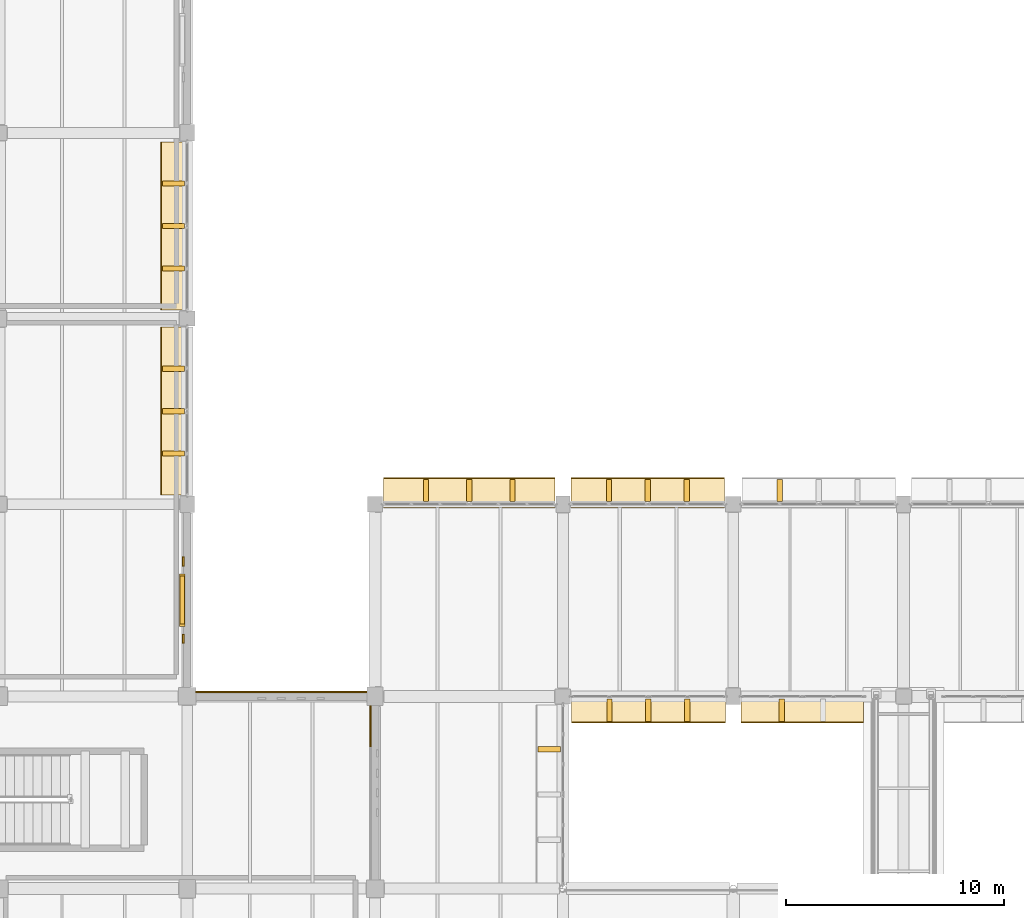
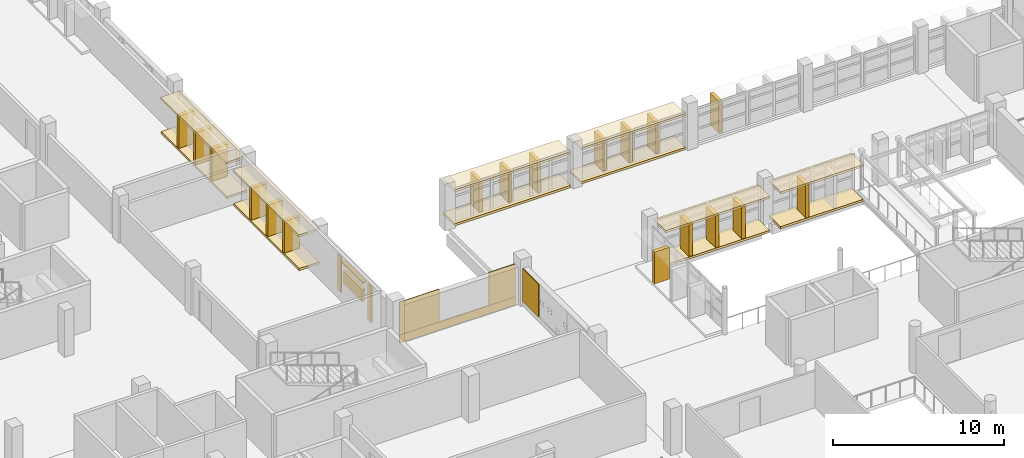
# One storey, part 71 of 75: 20 shading devices, 18 coverings.
"""IFC4 building model written with IfcOpenShell, lengths in metres."""

import ifcopenshell
import ifcopenshell.guid

model = None  # the IFC model being written
_history = None  # IfcOwnerHistory: only IFC2X3 demands one
_inside = {}  # id of a spatial element -> (the spatial element, [elements in it])
_under = {}  # id of a project, library or spatial element -> (it, [spatial elements below it])
_declared = {}  # id of a project -> (the project, [libraries it declares])
_typed = {}  # id of a type object -> (the type object, [elements of that type])
_made_of = {}  # id of a material, layer set ... -> (it, [elements and type objects made of it])


def new_model(schema):
    """Start an empty IFC model of exactly this schema.

    Asked for "IFC4X3", IfcOpenShell would pick the latest addendum, in which some entities
    have other attributes; the version numbers below select the first issue.
    IFC2X3 requires an IfcOwnerHistory on every rooted entity: one is made here for all.
    """
    global model, _history
    if schema == "IFC4X3":
        model = ifcopenshell.file(schema_version=(4, 3, 0, 0))
    else:
        model = ifcopenshell.file(schema=schema)
    _inside.clear()
    _under.clear()
    _declared.clear()
    _typed.clear()
    _made_of.clear()
    _history = None
    if model.schema == "IFC2X3":
        org = make("IfcOrganization", Name="unknown")
        user = make(
            "IfcPersonAndOrganization",
            ThePerson=make("IfcPerson", FamilyName="unknown"),
            TheOrganization=org,
        )
        app = make(
            "IfcApplication",
            ApplicationDeveloper=org,
            Version="unknown",
            ApplicationFullName="unknown",
            ApplicationIdentifier="unknown",
        )
        _history = make(
            "IfcOwnerHistory",
            OwningUser=user,
            OwningApplication=app,
            ChangeAction="ADDED",
            CreationDate=0,
        )
    return model


def make(cls, **values):
    """One entity of the class cls with the attributes given. An attribute that is None is left unset."""
    return model.create_entity(
        cls, **{name: value for name, value in values.items() if value is not None}
    )


def rooted(cls, **values):
    """An entity with a GlobalId (a new one), such as an element, a storey or a relation."""
    return make(cls, GlobalId=ifcopenshell.guid.new(), OwnerHistory=_history, **values)


def si_unit(unit_type, name, prefix=None):
    """IfcSIUnit, for example si_unit("LENGTHUNIT", "METRE", prefix="MILLI")."""
    return make("IfcSIUnit", UnitType=unit_type, Prefix=prefix, Name=name)


def assignment(units):
    """IfcUnitAssignment: the units of a project."""
    return None if units is None else make("IfcUnitAssignment", Units=units)


def point(xyz):
    """IfcCartesianPoint."""
    return None if xyz is None else make("IfcCartesianPoint", Coordinates=xyz)


def direction(xyz):
    """IfcDirection."""
    return None if xyz is None else make("IfcDirection", DirectionRatios=xyz)


def frame(location, z_axis=None, x_axis=None):
    """IfcAxis2Placement3D, a coordinate frame: its origin and axes. An axis left out is left unset."""
    return make(
        "IfcAxis2Placement3D",
        Location=point(location),
        Axis=direction(z_axis),
        RefDirection=direction(x_axis),
    )


def frame_2d(location, x_axis=None):
    """IfcAxis2Placement2D, a coordinate frame in the plane: its origin and x axis."""
    return make(
        "IfcAxis2Placement2D", Location=point(location), RefDirection=direction(x_axis)
    )


def origin():
    """The frame at (0, 0, 0) with its axes left unset."""
    return frame((0.0, 0.0, 0.0))


def origin_2d():
    """The frame at (0, 0) in the plane with its x axis left unset."""
    return frame_2d((0.0, 0.0))


def place(relative_to, where):
    """IfcLocalPlacement: puts the frame where relative to a parent placement (None: the world)."""
    return make(
        "IfcLocalPlacement", PlacementRelTo=relative_to, RelativePlacement=where
    )


def context(
    kind, dimensions, precision=None, world=None, true_north=None, identifier=None
):
    """IfcGeometricRepresentationContext, for example the 3D "Model" context."""
    return make(
        "IfcGeometricRepresentationContext",
        ContextIdentifier=identifier,
        ContextType=kind,
        CoordinateSpaceDimension=dimensions,
        Precision=precision,
        WorldCoordinateSystem=world,
        TrueNorth=true_north,
    )


def subcontext(parent, identifier, kind, view, scale=None):
    """IfcGeometricRepresentationSubContext, for example "Body" below "Model"."""
    return make(
        "IfcGeometricRepresentationSubContext",
        ContextIdentifier=identifier,
        ContextType=kind,
        ParentContext=parent,
        TargetScale=scale,
        TargetView=view,
    )


def project(units=None, contexts=None):
    """IfcProject with its units and contexts."""
    return rooted(
        "IfcProject",
        Name="project",
        RepresentationContexts=contexts,
        UnitsInContext=assignment(units),
    )


def spatial(cls, under=None, at=None, **own):
    """A site, building, storey or space (cls), placed at a placement, below another one or the project."""
    s = rooted(cls, ObjectPlacement=at, **own)
    if under is not None:
        _under.setdefault(under.id(), (under, []))[1].append(s)
    return s


def polyline(points):
    """IfcPolyline through the points."""
    return make("IfcPolyline", Points=[point(p) for p in points])


def profile(cls, at=None, kind="AREA", **sizes):
    """A parametric profile (cls). Its sizes go by their IFC names, for example OverallWidth=200.0."""
    return make(cls, ProfileType=kind, Position=at, **sizes)


def rectangle(**sizes):
    """IfcRectangleProfileDef."""
    return profile("IfcRectangleProfileDef", **sizes)


def outline(outer, holes=None, kind="AREA"):
    """IfcArbitraryClosedProfileDef: a profile drawn as a closed curve; with holes, ...WithVoids."""
    if holes is None:
        return make("IfcArbitraryClosedProfileDef", ProfileType=kind, OuterCurve=outer)
    return make(
        "IfcArbitraryProfileDefWithVoids",
        ProfileType=kind,
        OuterCurve=outer,
        InnerCurves=holes,
    )


def extrude(swept, where, along, depth):
    """IfcExtrudedAreaSolid: the profile swept, set in the frame where, extruded along a direction by depth."""
    return make(
        "IfcExtrudedAreaSolid",
        SweptArea=swept,
        Position=where,
        ExtrudedDirection=direction(along),
        Depth=depth,
    )


def shape(context_of_items, identifier, shape_type, items):
    """IfcShapeRepresentation: the items that make up one representation, for example the "Body"."""
    return make(
        "IfcShapeRepresentation",
        ContextOfItems=context_of_items,
        RepresentationIdentifier=identifier,
        RepresentationType=shape_type,
        Items=items,
    )


def material(Name=None, Category=None):
    """IfcMaterial."""
    return make("IfcMaterial", Name=Name, Category=Category)


def layer(
    of_material, thickness, ventilated=None, Name=None, Category=None, Priority=None
):
    """IfcMaterialLayer: one layer of a wall or slab, of a material (None: an air gap)."""
    return make(
        "IfcMaterialLayer",
        Material=of_material,
        LayerThickness=thickness,
        IsVentilated=ventilated,
        Name=Name,
        Category=Category,
        Priority=Priority,
    )


def layer_set(layers, Name=None):
    """IfcMaterialLayerSet."""
    return make("IfcMaterialLayerSet", MaterialLayers=layers, LayerSetName=Name)


def made_of(thing, what):
    """Note that an element or type object is made of a material, layer set ...; save() writes the relation."""
    if what is not None:
        _made_of.setdefault(what.id(), (what, []))[1].append(thing)
    return thing


def type_object(cls, material=None, **own):
    """A type object (cls), such as IfcWallType, which elements share."""
    return made_of(rooted(cls, **own), material)


def element(
    cls,
    number,
    at=None,
    inside=None,
    cuts=None,
    type_object=None,
    material=None,
    context=None,
    identifier="Body",
    shape_type=None,
    held_by="IfcProductDefinitionShape",
    body=None,
    shapes=None,
    **own,
):
    """One element of the class cls, such as IfcWall. Its Tag is "e" and its number.

    at: its placement. inside: the storey or other place that contains it. cuts: it is an
    opening in that element (IfcRelVoidsElement). A single representation is given by context,
    identifier, shape_type and body (its items); several are given by shapes. held_by: the class
    of the entity that holds the representations. save() writes the other relations.
    """
    e = rooted(cls, Tag="e%d" % number, ObjectPlacement=at, **own)
    if body is not None:
        shapes = [shape(context, identifier, shape_type, body)]
    if shapes is not None:
        e.Representation = make(held_by, Representations=shapes)
    if inside is not None:
        _inside.setdefault(inside.id(), (inside, []))[1].append(e)
    if cuts is not None:
        rooted(
            "IfcRelVoidsElement", RelatingBuildingElement=cuts, RelatedOpeningElement=e
        )
    if type_object is not None:
        _typed.setdefault(type_object.id(), (type_object, []))[1].append(e)
    return made_of(e, material)


def aggregate(whole, parts):
    """IfcRelAggregates: a whole, such as a stair, and the parts it consists of."""
    return rooted("IfcRelAggregates", RelatingObject=whole, RelatedObjects=parts)


def save(model, path):
    """Write the relations noted so far, then the file.

    IfcRelAggregates (storeys below a building ...), IfcRelContainedInSpatialStructure (elements
    in a storey), IfcRelDefinesByType, IfcRelAssociatesMaterial and IfcRelDeclares: one each for
    every whole, place, type object, material and project.
    """
    for whole, parts in _under.values():
        aggregate(whole, parts)
    for where, things in _inside.values():
        rooted(
            "IfcRelContainedInSpatialStructure",
            RelatedElements=things,
            RelatingStructure=where,
        )
    for kind, things in _typed.values():
        rooted("IfcRelDefinesByType", RelatedObjects=things, RelatingType=kind)
    for what, things in _made_of.values():
        rooted("IfcRelAssociatesMaterial", RelatedObjects=things, RelatingMaterial=what)
    for by, libraries in _declared.values():
        rooted("IfcRelDeclares", RelatingContext=by, RelatedDefinitions=libraries)
    model.write(path)


model = new_model("IFC4")

# Units and contexts
model_context = context("Model", 3, precision=1e-05, world=origin(), true_north=direction((0.0, 1.0)))
body_context = subcontext(model_context, "Body", "Model", "MODEL_VIEW")
ifc_project = project(units=[si_unit("LENGTHUNIT", "METRE"), si_unit("AREAUNIT", "SQUARE_METRE"), si_unit("VOLUMEUNIT", "CUBIC_METRE"), si_unit("PLANEANGLEUNIT", "RADIAN"), si_unit("MASSUNIT", "GRAM", prefix="KILO")], contexts=[model_context])

# Site, building, storey
site_placement = place(None, origin())
site = spatial("IfcSite", under=ifc_project, at=site_placement, CompositionType="ELEMENT")
building_placement = place(site_placement, origin())
building = spatial("IfcBuilding", under=site, at=building_placement, Name="Varnakota Cinema and Media Centre", CompositionType="ELEMENT")
storey_placement = place(building_placement, frame((0.0, 0.0, 8.39990234375)))
storey = spatial("IfcBuildingStorey", under=building, at=storey_placement, Name="L02", CompositionType="ELEMENT", Elevation=8.39990234375)

# Coverings
ifc_material_1 = material(Name="Precast concrete M40", Category="concrete")
ifc_layer_1 = layer(ifc_material_1, 0.159912109375)
ifc_layer_set_1 = layer_set([ifc_layer_1], Name="Precast concrete M40")
covering_type_1 = type_object("IfcCoveringType", Name="COV-CHAJJA-160", PredefinedType="CLADDING", material=ifc_layer_set_1)
covering_1_placement = place(storey_placement, frame((0.0, 0.0, 2.4150390625)))
element("IfcCovering", 1, at=covering_1_placement, inside=storey, type_object=covering_type_1, Name="L02 Brutalist chajja overhang LINK-N-1", PredefinedType="CLADDING", context=body_context, shape_type="SweptSolid", body=[
    extrude(outline(polyline([(43.389892578125, 43.820068359375), (51.235107421875, 43.820068359375), (51.235107421875, 45.219970703125), (43.389892578125, 45.219970703125), (43.389892578125, 43.820068359375)])), origin(), (0.0, 0.0, 1.0), 0.16015625),
])
covering_2_placement = place(storey_placement, origin())
element("IfcCovering", 2, at=covering_2_placement, inside=storey, type_object=covering_type_1, Name="L02 brise-soleil base plinth LINK-N-1", PredefinedType="CLADDING", context=body_context, shape_type="SweptSolid", body=[
    extrude(outline(polyline([(43.389892578125, 43.820068359375), (51.235107421875, 43.820068359375), (51.235107421875, 45.179931640625), (43.389892578125, 45.179931640625), (43.389892578125, 43.820068359375)])), origin(), (0.0, 0.0, 1.0), 0.16015625),
])
covering_3_placement = place(storey_placement, frame((0.0, 0.0, 2.4150390625)))
element("IfcCovering", 3, at=covering_3_placement, inside=storey, type_object=covering_type_1, Name="L02 Brutalist chajja overhang LINK-N-2", PredefinedType="CLADDING", context=body_context, shape_type="SweptSolid", body=[
    extrude(outline(polyline([(51.965087890625, 43.820068359375), (59.010009765625, 43.820068359375), (59.010009765625, 45.219970703125), (51.965087890625, 45.219970703125), (51.965087890625, 43.820068359375)])), origin(), (0.0, 0.0, 1.0), 0.16015625),
])
covering_4_placement = place(storey_placement, origin())
element("IfcCovering", 4, at=covering_4_placement, inside=storey, type_object=covering_type_1, Name="L02 brise-soleil base plinth LINK-N-2", PredefinedType="CLADDING", context=body_context, shape_type="SweptSolid", body=[
    extrude(outline(polyline([(51.965087890625, 43.820068359375), (59.010009765625, 43.820068359375), (59.010009765625, 45.179931640625), (51.965087890625, 45.179931640625), (51.965087890625, 43.820068359375)])), origin(), (0.0, 0.0, 1.0), 0.16015625),
])
covering_5_placement = place(storey_placement, frame((0.0, 0.0, 2.51513671875)))
element("IfcCovering", 5, at=covering_5_placement, inside=storey, type_object=covering_type_1, Name="L02 Brutalist chajja overhang LINK-S-W-1", PredefinedType="CLADDING", context=body_context, shape_type="SweptSolid", body=[
    extrude(outline(polyline([(65.360107421875, 35.3798828125), (59.764892578125, 35.3798828125), (59.764892578125, 33.97998046875), (65.360107421875, 33.97998046875), (65.360107421875, 35.3798828125)])), origin(), (0.0, 0.0, 1.0), 0.159912109375),
])
covering_6_placement = place(storey_placement, origin())
element("IfcCovering", 6, at=covering_6_placement, inside=storey, type_object=covering_type_1, Name="L02 brise-soleil base plinth LINK-S-W-1", PredefinedType="CLADDING", context=body_context, shape_type="SweptSolid", body=[
    extrude(outline(polyline([(65.360107421875, 35.3798828125), (59.764892578125, 35.3798828125), (59.764892578125, 34.02001953125), (65.360107421875, 34.02001953125), (65.360107421875, 35.3798828125)])), origin(), (0.0, 0.0, 1.0), 0.16015625),
])
covering_7_placement = place(storey_placement, frame((0.0, 0.0, 2.465087890625)))
element("IfcCovering", 7, at=covering_7_placement, inside=storey, type_object=covering_type_1, Name="L02 Brutalist chajja overhang LINK-S-W-2", PredefinedType="CLADDING", context=body_context, shape_type="SweptSolid", body=[
    extrude(outline(polyline([(59.034912109375, 35.3798828125), (51.989990234375, 35.3798828125), (51.989990234375, 33.97998046875), (59.034912109375, 33.97998046875), (59.034912109375, 35.3798828125)])), origin(), (0.0, 0.0, 1.0), 0.159912109375),
])
covering_8_placement = place(storey_placement, origin())
element("IfcCovering", 8, at=covering_8_placement, inside=storey, type_object=covering_type_1, Name="L02 brise-soleil base plinth LINK-S-W-2", PredefinedType="CLADDING", context=body_context, shape_type="SweptSolid", body=[
    extrude(outline(polyline([(59.034912109375, 35.3798828125), (51.989990234375, 35.3798828125), (51.989990234375, 34.02001953125), (59.034912109375, 34.02001953125), (59.034912109375, 35.3798828125)])), origin(), (0.0, 0.0, 1.0), 0.16015625),
])
covering_9_placement = place(storey_placement, frame((0.0, 0.0, 2.4150390625)))
element("IfcCovering", 9, at=covering_9_placement, inside=storey, type_object=covering_type_1, Name="L02 Brutalist chajja overhang V5-E-2", PredefinedType="CLADDING", context=body_context, shape_type="SweptSolid", body=[
    extrude(outline(polyline([(34.580078125, 44.4150390625), (34.580078125, 52.110107421875), (33.179931640625, 52.110107421875), (33.179931640625, 44.4150390625), (34.580078125, 44.4150390625)])), origin(), (0.0, 0.0, 1.0), 0.16015625),
])
covering_10_placement = place(storey_placement, origin())
element("IfcCovering", 10, at=covering_10_placement, inside=storey, type_object=covering_type_1, Name="L02 brise-soleil base plinth V5-E-2", PredefinedType="CLADDING", context=body_context, shape_type="SweptSolid", body=[
    extrude(outline(polyline([(34.580078125, 44.4150390625), (34.580078125, 52.110107421875), (33.219970703125, 52.110107421875), (33.219970703125, 44.4150390625), (34.580078125, 44.4150390625)])), origin(), (0.0, 0.0, 1.0), 0.16015625),
])
covering_11_placement = place(storey_placement, frame((0.0, 0.0, 2.465087890625)))
element("IfcCovering", 11, at=covering_11_placement, inside=storey, type_object=covering_type_1, Name="L02 Brutalist chajja overhang V5-E-3", PredefinedType="CLADDING", context=body_context, shape_type="SweptSolid", body=[
    extrude(outline(polyline([(34.580078125, 52.889892578125), (34.580078125, 60.5849609375), (33.179931640625, 60.5849609375), (33.179931640625, 52.889892578125), (34.580078125, 52.889892578125)])), origin(), (0.0, 0.0, 1.0), 0.159912109375),
])
covering_12_placement = place(storey_placement, origin())
element("IfcCovering", 12, at=covering_12_placement, inside=storey, type_object=covering_type_1, Name="L02 brise-soleil base plinth V5-E-3", PredefinedType="CLADDING", context=body_context, shape_type="SweptSolid", body=[
    extrude(outline(polyline([(34.580078125, 52.889892578125), (34.580078125, 60.5849609375), (33.219970703125, 60.5849609375), (33.219970703125, 52.889892578125), (34.580078125, 52.889892578125)])), origin(), (0.0, 0.0, 1.0), 0.16015625),
])
ifc_material_2 = material(Name="Pale Tandur limestone cladding", Category="masonry")
ifc_layer_2 = layer(ifc_material_2, 0.06005859375)
ifc_layer_set_2 = layer_set([ifc_layer_2], Name="Pale Tandur limestone cladding")
covering_type_2 = type_object("IfcCoveringType", Name="COV-TANDUR-ASHLAR-60", PredefinedType="CLADDING", material=ifc_layer_set_2)
covering_13_placement = place(storey_placement, frame((42.794921875, 33.84130859375, 0.330078125), z_axis=(0.0, 0.0, 1.0), x_axis=(0.0, 1.0, 0.0)))
element("IfcCovering", 13, at=covering_13_placement, inside=storey, type_object=covering_type_2, Name="L02 V4 pale Tandur stone right corner ashlar V4-CHE-01", PredefinedType="CLADDING", context=body_context, shape_type="SweptSolid", body=[
    extrude(rectangle(XDim=1.867431640625, YDim=0.06005859375, at=origin_2d()), origin(), (0.0, 0.0, 1.0), 2.344970703125),
])
covering_14_placement = place(storey_placement, frame((38.71240234375, 35.405029296875, -0.25), z_axis=(0.0, 0.0, 1.0), x_axis=(1.0, 0.0, 0.0)))
element("IfcCovering", 14, at=covering_14_placement, inside=storey, type_object=covering_type_2, Name="L02 V4 pale Tandur stone spandrel ashlar V4-N-01", PredefinedType="CLADDING", context=body_context, shape_type="SweptSolid", body=[
    extrude(rectangle(XDim=7.824951171875, YDim=0.06005859375, at=origin_2d()), origin(), (0.0, 0.0, 1.0), 0.580078125),
])
covering_15_placement = place(storey_placement, frame((36.146240234375, 35.405029296875, 0.330078125), z_axis=(0.0, 0.0, 1.0), x_axis=(1.0, 0.0, 0.0)))
element("IfcCovering", 15, at=covering_15_placement, inside=storey, type_object=covering_type_2, Name="L02 V4 pale Tandur stone left corner ashlar V4-N-01", PredefinedType="CLADDING", context=body_context, shape_type="SweptSolid", body=[
    extrude(rectangle(XDim=2.6923828125, YDim=0.06005859375, at=origin_2d()), origin(), (0.0, 0.0, 1.0), 2.344970703125),
])
covering_16_placement = place(storey_placement, frame((41.728759765625, 35.405029296875, 0.330078125), z_axis=(0.0, 0.0, 1.0), x_axis=(1.0, 0.0, 0.0)))
element("IfcCovering", 16, at=covering_16_placement, inside=storey, type_object=covering_type_2, Name="L02 V4 pale Tandur stone right corner ashlar V4-N-01", PredefinedType="CLADDING", context=body_context, shape_type="SweptSolid", body=[
    extrude(rectangle(XDim=1.79248046875, YDim=0.06005859375, at=origin_2d()), origin(), (0.0, 0.0, 1.0), 2.344970703125),
])
for number, where, z_axis, x_axis, name in (
    (17, (34.215087890625, 37.846923828125, 0.06005859375), (0.0, 0.0, 1.0), (0.0, 1.0, 0.0), "L02 acoustic studio stone relief pilaster V5-E-1.1"),
    (18, (34.215087890625, 41.3779296875, 0.06005859375), (0.0, 0.0, 1.0), (0.0, 1.0, 0.0), "L02 acoustic studio stone relief pilaster V5-E-1.2"),
):
    element("IfcCovering", number, at=place(storey_placement, frame(where, z_axis=z_axis, x_axis=x_axis)), inside=storey, type_object=covering_type_2, Name=name, PredefinedType="CLADDING", context=body_context, shape_type="SweptSolid", body=[
        extrude(rectangle(XDim=0.419921875, YDim=0.080078125, at=origin_2d()), origin(), (0.0, 0.0, 1.0), 2.554931640625),
    ])

# Shading devices
ifc_material_3 = material(Name="Precast concrete M40", Category="concrete")
shading_device_type_1 = type_object("IfcShadingDeviceType", Name="SHD-BRISE-FIN-240", PredefinedType="JALOUSIE", material=ifc_material_3)
for number, where, z_axis, x_axis, name in (
    (19, (45.331298828125, 44.6298828125, 0.150146484375), (0.0, 0.0, 1.0), (1.0, 0.0, 0.0), "L02 vertical concrete brise-soleil fin LINK-N-1.1"),
    (20, (47.3125, 44.6298828125, 0.150146484375), (0.0, 0.0, 1.0), (1.0, 0.0, 0.0), "L02 vertical concrete brise-soleil fin LINK-N-1.2"),
    (21, (49.293701171875, 44.6298828125, 0.150146484375), (0.0, 0.0, 1.0), (1.0, 0.0, 0.0), "L02 vertical concrete brise-soleil fin LINK-N-1.3"),
    (22, (53.706298828125, 44.6298828125, 0.150146484375), (0.0, 0.0, 1.0), (1.0, 0.0, 0.0), "L02 vertical concrete brise-soleil fin LINK-N-2.1"),
    (23, (55.487548828125, 44.6298828125, 0.150146484375), (0.0, 0.0, 1.0), (1.0, 0.0, 0.0), "L02 vertical concrete brise-soleil fin LINK-N-2.2"),
    (24, (57.268798828125, 44.6298828125, 0.150146484375), (0.0, 0.0, 1.0), (1.0, 0.0, 0.0), "L02 vertical concrete brise-soleil fin LINK-N-2.3"),
    (25, (61.53125, 44.6298828125, 0.150146484375), (0.0, 0.0, 1.0), (1.0, 0.0, 0.0), "L02 vertical concrete brise-soleil fin LINK-N-3.1"),
):
    element("IfcShadingDevice", number, at=place(storey_placement, frame(where, z_axis=z_axis, x_axis=x_axis)), inside=storey, type_object=shading_device_type_1, Name=name, PredefinedType="JALOUSIE", context=body_context, shape_type="SweptSolid", body=[
        extrude(rectangle(XDim=0.239990234375, YDim=1.02001953125, at=origin_2d()), origin(), (0.0, 0.0, 1.0), 2.27490234375),
    ])
shading_device_1_placement = place(storey_placement, frame((61.61669921875, 34.570068359375, 0.150146484375), z_axis=(0.0, 0.0, 1.0), x_axis=(-1.0, 0.0, 0.0)))
element("IfcShadingDevice", 26, at=shading_device_1_placement, inside=storey, type_object=shading_device_type_1, Name="L02 vertical concrete brise-soleil fin LINK-S-W-1.2", PredefinedType="JALOUSIE", context=body_context, shape_type="SweptSolid", body=[
    extrude(rectangle(XDim=0.239990234375, YDim=1.02001953125, at=origin_2d()), origin(), (0.0, 0.0, 1.0), 2.375),
])
for number, where, z_axis, x_axis, name in (
    (27, (57.293701171875, 34.570068359375, 0.14990234375), (0.0, 0.0, 1.0), (-1.0, 0.0, 0.0), "L02 vertical concrete brise-soleil fin LINK-S-W-2.1"),
    (28, (55.512451171875, 34.570068359375, 0.14990234375), (0.0, 0.0, 1.0), (-1.0, 0.0, 0.0), "L02 vertical concrete brise-soleil fin LINK-S-W-2.2"),
    (29, (53.731201171875, 34.570068359375, 0.14990234375), (0.0, 0.0, 1.0), (-1.0, 0.0, 0.0), "L02 vertical concrete brise-soleil fin LINK-S-W-2.3"),
):
    element("IfcShadingDevice", number, at=place(storey_placement, frame(where, z_axis=z_axis, x_axis=x_axis)), inside=storey, type_object=shading_device_type_1, Name=name, PredefinedType="JALOUSIE", context=body_context, shape_type="SweptSolid", body=[
        extrude(rectangle(XDim=0.239990234375, YDim=1.02001953125, at=origin_2d()), origin(), (0.0, 0.0, 1.0), 2.324951171875),
    ])
for number, where, z_axis, x_axis, name in (
    (30, (50.969970703125, 32.778076171875, 0.150146484375), (0.0, 0.0, 1.0), (0.0, 1.0, 0.0), "L02 vertical concrete brise-soleil fin WLINK-E-1.3"),
    (31, (33.77001953125, 46.318603515625, 0.150146484375), (0.0, 0.0, 1.0), (0.0, 1.0, 0.0), "L02 vertical concrete brise-soleil fin V5-E-2.1"),
    (32, (33.77001953125, 48.262451171875, 0.150146484375), (0.0, 0.0, 1.0), (0.0, 1.0, 0.0), "L02 vertical concrete brise-soleil fin V5-E-2.2"),
    (33, (33.77001953125, 50.206298828125, 0.150146484375), (0.0, 0.0, 1.0), (0.0, 1.0, 0.0), "L02 vertical concrete brise-soleil fin V5-E-2.3"),
):
    element("IfcShadingDevice", number, at=place(storey_placement, frame(where, z_axis=z_axis, x_axis=x_axis)), inside=storey, type_object=shading_device_type_1, Name=name, PredefinedType="JALOUSIE", context=body_context, shape_type="SweptSolid", body=[
        extrude(rectangle(XDim=0.239990234375, YDim=1.02001953125, at=origin_2d()), origin(), (0.0, 0.0, 1.0), 2.27490234375),
    ])
for number, where, z_axis, x_axis, name in (
    (34, (33.77001953125, 54.793701171875, 0.14990234375), (0.0, 0.0, 1.0), (0.0, 1.0, 0.0), "L02 vertical concrete brise-soleil fin V5-E-3.1"),
    (35, (33.77001953125, 56.737548828125, 0.14990234375), (0.0, 0.0, 1.0), (0.0, 1.0, 0.0), "L02 vertical concrete brise-soleil fin V5-E-3.2"),
    (36, (33.77001953125, 58.68115234375, 0.14990234375), (0.0, 0.0, 1.0), (0.0, 1.0, 0.0), "L02 vertical concrete brise-soleil fin V5-E-3.3"),
):
    element("IfcShadingDevice", number, at=place(storey_placement, frame(where, z_axis=z_axis, x_axis=x_axis)), inside=storey, type_object=shading_device_type_1, Name=name, PredefinedType="JALOUSIE", context=body_context, shape_type="SweptSolid", body=[
        extrude(rectangle(XDim=0.239990234375, YDim=1.02001953125, at=origin_2d()), origin(), (0.0, 0.0, 1.0), 2.324951171875),
    ])
ifc_material_4 = material(Name="Precast concrete M40", Category="concrete")
shading_device_type_2 = type_object("IfcShadingDeviceType", Name="SHD-CHAJJA-1050", PredefinedType="AWNING", material=ifc_material_4)
shading_device_2_placement = place(storey_placement, frame((34.169921875, 39.612548828125, 2.4052734375), z_axis=(0.0, 0.0, 1.0), x_axis=(0.0, 1.0, 0.0)))
element("IfcShadingDevice", 37, at=shading_device_2_placement, inside=storey, type_object=shading_device_type_2, Name="L02 acoustic intake weather hood V5-E-1", PredefinedType="AWNING", context=body_context, shape_type="SweptSolid", body=[
    extrude(rectangle(XDim=2.39990234375, YDim=0.239990234375, at=origin_2d()), origin(), (0.0, 0.0, 1.0), 0.139892578125),
])
ifc_material_5 = material(Name="Precast concrete M40", Category="concrete")
shading_device_type_3 = type_object("IfcShadingDeviceType", Name="SHD-FIN-1050", PredefinedType="JALOUSIE", material=ifc_material_5)
shading_device_3_placement = place(storey_placement, frame((34.169921875, 39.612548828125, 1.074951171875), z_axis=(0.0, 0.0, 1.0), x_axis=(0.0, 1.0, 0.0)))
element("IfcShadingDevice", 38, at=shading_device_3_placement, inside=storey, type_object=shading_device_type_3, Name="L02 studio acoustic louvre screen V5-E-1", PredefinedType="JALOUSIE", context=body_context, shape_type="SweptSolid", body=[
    extrude(rectangle(XDim=2.199951171875, YDim=0.199951171875, at=origin_2d()), origin(), (0.0, 0.0, 1.0), 0.85009765625),
])

save(model, "model.ifc")
